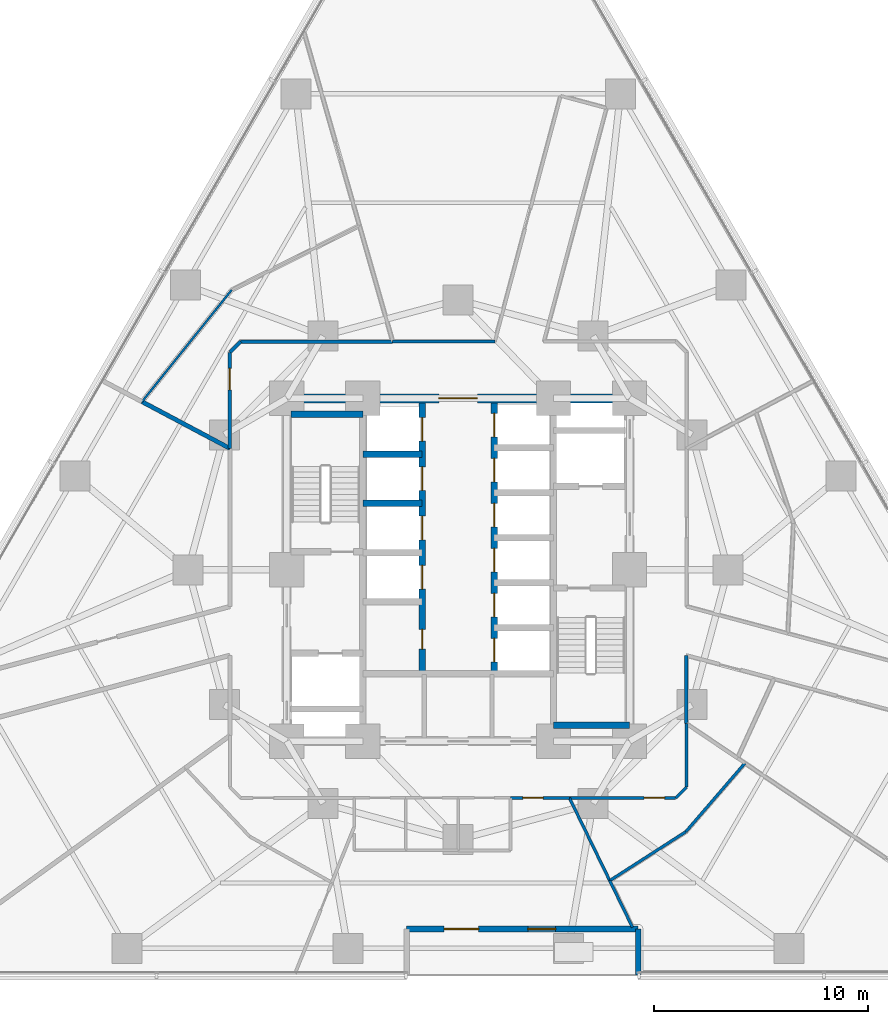
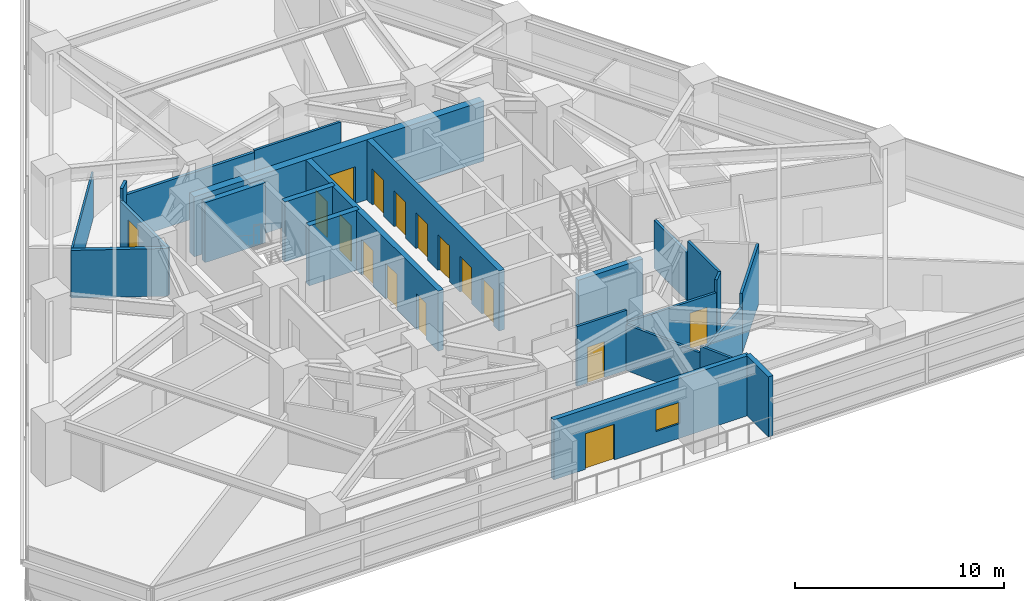
# One storey, part 9 of 16: 24 walls, 16 doors, 1 window, 17 openings.
"""IFC4 building model written with IfcOpenShell, lengths in metres."""

from ifc_helpers import new_model, si_unit, direction, frame, frame_2d, origin, place, context, subcontext, project, spatial, rectangle, extrude, material, layer, layer_set, type_object, element, fill, save


model = new_model("IFC4")

# Units and contexts
model_context = context("Model", 3, precision=1e-05, world=origin(), true_north=direction((0.0, 1.0)))
body_context = subcontext(model_context, "Body", "Model", "MODEL_VIEW")
ifc_project = project(units=[si_unit("LENGTHUNIT", "METRE"), si_unit("AREAUNIT", "SQUARE_METRE"), si_unit("VOLUMEUNIT", "CUBIC_METRE"), si_unit("PLANEANGLEUNIT", "RADIAN"), si_unit("MASSUNIT", "GRAM", prefix="KILO")], contexts=[model_context])

# Site, building, storey
site_placement = place(None, origin())
site = spatial("IfcSite", under=ifc_project, at=site_placement, CompositionType="ELEMENT")
building_placement = place(site_placement, origin())
building = spatial("IfcBuilding", under=site, at=building_placement, Name="Terralouvre Media Tower", CompositionType="ELEMENT")
storey_placement = place(building_placement, frame((0.0, 0.0, 44.5)))
storey = spatial("IfcBuildingStorey", under=building, at=storey_placement, Name="L10", CompositionType="ELEMENT", Elevation=44.5)

# Walls
ifc_material_1 = material(Name="Concrete C50/60", Category="concrete")
ifc_layer_1 = layer(ifc_material_1, 0.300048828125, Name="Core Internal Shaft Wall CW-300")
ifc_layer_set_1 = layer_set([ifc_layer_1], Name="Concrete C50/60")
wall_type_1 = type_object("IfcWallType", Name="Core Internal Shaft Wall CW-300", PredefinedType="SHEAR", material=ifc_layer_set_1)
wall_1_placement = place(storey_placement, frame((-7.7900390625, 7.260009765625, 0.0), z_axis=(0.0, 0.0, 1.0), x_axis=(1.0, 0.0, 0.0)))
element("IfcWall", 1, at=wall_1_placement, inside=storey, type_object=wall_type_1, Name="L10 Core Shaft Wall ST1F", PredefinedType="SHEAR", context=body_context, shape_type="SweptSolid", body=[
    extrude(rectangle(XDim=3.340087890625, YDim=0.300048828125, at=frame_2d((1.669921875, 0.0))), origin(), (0.0, 0.0, 1.0), 3.5),
])
wall_2_placement = place(storey_placement, frame((4.449951171875, -7.260009765625, 0.0), z_axis=(0.0, 0.0, 1.0), x_axis=(1.0, 0.0, 0.0)))
element("IfcWall", 2, at=wall_2_placement, inside=storey, type_object=wall_type_1, Name="L10 Core Shaft Wall ST2F", PredefinedType="SHEAR", context=body_context, shape_type="SweptSolid", body=[
    extrude(rectangle(XDim=3.550048828125, YDim=0.300048828125, at=frame_2d((1.77490234375, 0.0))), origin(), (0.0, 0.0, 1.0), 3.5),
])

# Wall, openings, doors
wall_3_placement = place(storey_placement, frame((-1.679931640625, -4.85009765625, 0.0), z_axis=(0.0, 0.0, 1.0), x_axis=(0.0, 1.0, 0.0)))
wall_3 = element("IfcWall", 3, at=wall_3_placement, inside=storey, type_object=wall_type_1, Name="L10 Core Shaft Wall LBW", PredefinedType="SHEAR", context=body_context, shape_type="SweptSolid", body=[
    extrude(rectangle(XDim=12.64013671875, YDim=0.300048828125, at=frame_2d((6.320068359375, 0.0))), origin(), (0.0, 0.0, 1.0), 3.5),
])
opening_1_placement = place(wall_3_placement, frame((3.949951171875, 0.0, 0.0)))
opening_1 = element("IfcOpeningElement", 4, at=opening_1_placement, cuts=wall_3, Name="Opening LD-PL", PredefinedType="OPENING", context=body_context, shape_type="SweptSolid", body=[
    extrude(rectangle(XDim=1.10009765625, YDim=2.10009765625, at=frame_2d((0.550048828125, 1.050048828125))), frame((0.0, 0.159912109375, 0.0), z_axis=(0.0, -1.0, 0.0), x_axis=(1.0, 0.0, 0.0)), (0.0, 0.0, 1.0), 0.320068359375),
])
opening_2_placement = place(wall_3_placement, frame((6.25, 0.0, 0.0)))
opening_2 = element("IfcOpeningElement", 5, at=opening_2_placement, cuts=wall_3, Name="Opening LD-PL", PredefinedType="OPENING", context=body_context, shape_type="SweptSolid", body=[
    extrude(rectangle(XDim=1.10009765625, YDim=2.10009765625, at=frame_2d((0.550048828125, 1.050048828125))), frame((0.0, 0.159912109375, 0.0), z_axis=(0.0, -1.0, 0.0), x_axis=(1.0, 0.0, 0.0)), (0.0, 0.0, 1.0), 0.320068359375),
])
opening_3_placement = place(wall_3_placement, frame((8.550048828125, 0.0, 0.0)))
opening_3 = element("IfcOpeningElement", 6, at=opening_3_placement, cuts=wall_3, Name="Opening LD-PL", PredefinedType="OPENING", context=body_context, shape_type="SweptSolid", body=[
    extrude(rectangle(XDim=1.10009765625, YDim=2.10009765625, at=frame_2d((0.550048828125, 1.050048828125))), frame((0.0, 0.159912109375, 0.0), z_axis=(0.0, -1.0, 0.0), x_axis=(1.0, 0.0, 0.0)), (0.0, 0.0, 1.0), 0.320068359375),
])
opening_4_placement = place(wall_3_placement, frame((10.85009765625, 0.0, 0.0)))
opening_4 = element("IfcOpeningElement", 7, at=opening_4_placement, cuts=wall_3, Name="Opening LD-PL", PredefinedType="OPENING", context=body_context, shape_type="SweptSolid", body=[
    extrude(rectangle(XDim=1.10009765625, YDim=2.10009765625, at=frame_2d((0.550048828125, 1.050048828125))), frame((0.0, 0.159912109375, 0.0), z_axis=(0.0, -1.0, 0.0), x_axis=(1.0, 0.0, 0.0)), (0.0, 0.0, 1.0), 0.320068359375),
])
opening_5_placement = place(wall_3_placement, frame((1.14990234375, 0.0, 0.0)))
opening_5 = element("IfcOpeningElement", 8, at=opening_5_placement, cuts=wall_3, Name="Opening FD-05-92X210", PredefinedType="OPENING", context=body_context, shape_type="SweptSolid", body=[
    extrude(rectangle(XDim=0.919921875, YDim=2.10009765625, at=frame_2d((0.4599609375, 1.050048828125))), frame((0.0, 0.159912109375, 0.0), z_axis=(0.0, -1.0, 0.0), x_axis=(1.0, 0.0, 0.0)), (0.0, 0.0, 1.0), 0.320068359375),
])
ifc_material_2 = material(Name="Galvanised steel fire-resisting leaf", Category="steel")
door_type_1 = type_object("IfcDoorType", Name="Core Accessible Closet Fire Door FD-05 (920x2100)", OperationType="NOTDEFINED", PredefinedType="DOOR", material=ifc_material_2)
door_1_placement = place(opening_5_placement, origin())
door_1 = element("IfcDoor", 9, at=door_1_placement, inside=storey, type_object=door_type_1, Name="L10 Core Cleaners Closet Door", OperationType="SINGLE_SWING_LEFT", OverallHeight=2.10009765625, OverallWidth=0.919921875, PredefinedType="DOOR", context=body_context, shape_type="SweptSolid", body=[
    extrude(rectangle(XDim=0.919921875, YDim=2.10009765625, at=frame_2d((0.4599609375, 1.050048828125))), frame((0.0, 0.02490234375, 0.0), z_axis=(0.0, -1.0, 0.0), x_axis=(1.0, 0.0, 0.0)), (0.0, 0.0, 1.0), 0.050048828125),
])
fill(opening_5, door_1)
ifc_material_3 = material(Name="Stainless steel 316 handrail and balustrade", Category="steel")
door_type_2 = type_object("IfcDoorType", Name="Passenger Lift Sliding Landing Door LD-PL", OperationType="SLIDING_TO_LEFT", PredefinedType="DOOR", material=ifc_material_3)
door_2_placement = place(opening_1_placement, origin())
door_2 = element("IfcDoor", 10, at=door_2_placement, inside=storey, type_object=door_type_2, Name="L10 Low-Rise Lift PL-L1 Landing Door", OperationType="SLIDING_TO_LEFT", OverallHeight=2.10009765625, OverallWidth=1.10009765625, PredefinedType="DOOR", context=body_context, shape_type="SweptSolid", body=[
    extrude(rectangle(XDim=1.10009765625, YDim=2.10009765625, at=frame_2d((0.550048828125, 1.050048828125))), frame((0.0, 0.02490234375, 0.0), z_axis=(0.0, -1.0, 0.0), x_axis=(1.0, 0.0, 0.0)), (0.0, 0.0, 1.0), 0.050048828125),
])
fill(opening_1, door_2)
door_3_placement = place(opening_2_placement, origin())
door_3 = element("IfcDoor", 11, at=door_3_placement, inside=storey, type_object=door_type_2, Name="L10 Low-Rise Lift PL-L2 Landing Door", OperationType="SLIDING_TO_LEFT", OverallHeight=2.10009765625, OverallWidth=1.10009765625, PredefinedType="DOOR", context=body_context, shape_type="SweptSolid", body=[
    extrude(rectangle(XDim=1.10009765625, YDim=2.10009765625, at=frame_2d((0.550048828125, 1.050048828125))), frame((0.0, 0.02490234375, 0.0), z_axis=(0.0, -1.0, 0.0), x_axis=(1.0, 0.0, 0.0)), (0.0, 0.0, 1.0), 0.050048828125),
])
fill(opening_2, door_3)
door_4_placement = place(opening_3_placement, origin())
door_4 = element("IfcDoor", 12, at=door_4_placement, inside=storey, type_object=door_type_2, Name="L10 Low-Rise Lift PL-L3 Landing Door", OperationType="SLIDING_TO_LEFT", OverallHeight=2.10009765625, OverallWidth=1.10009765625, PredefinedType="DOOR", context=body_context, shape_type="SweptSolid", body=[
    extrude(rectangle(XDim=1.10009765625, YDim=2.10009765625, at=frame_2d((0.550048828125, 1.050048828125))), frame((0.0, 0.02490234375, 0.0), z_axis=(0.0, -1.0, 0.0), x_axis=(1.0, 0.0, 0.0)), (0.0, 0.0, 1.0), 0.050048828125),
])
fill(opening_3, door_4)
door_5_placement = place(opening_4_placement, origin())
door_5 = element("IfcDoor", 13, at=door_5_placement, inside=storey, type_object=door_type_2, Name="L10 Low-Rise Lift PL-L4 Landing Door", OperationType="SLIDING_TO_LEFT", OverallHeight=2.10009765625, OverallWidth=1.10009765625, PredefinedType="DOOR", context=body_context, shape_type="SweptSolid", body=[
    extrude(rectangle(XDim=1.10009765625, YDim=2.10009765625, at=frame_2d((0.550048828125, 1.050048828125))), frame((0.0, 0.02490234375, 0.0), z_axis=(0.0, -1.0, 0.0), x_axis=(1.0, 0.0, 0.0)), (0.0, 0.0, 1.0), 0.050048828125),
])
fill(opening_4, door_5)

wall_4_placement = place(storey_placement, frame((1.679931640625, -4.85009765625, 0.0), z_axis=(0.0, 0.0, 1.0), x_axis=(0.0, 1.0, 0.0)))
wall_4 = element("IfcWall", 14, at=wall_4_placement, inside=storey, type_object=wall_type_1, Name="L10 Core Shaft Wall LBE", PredefinedType="SHEAR", context=body_context, shape_type="SweptSolid", body=[
    extrude(rectangle(XDim=12.64013671875, YDim=0.300048828125, at=frame_2d((6.320068359375, 0.0))), origin(), (0.0, 0.0, 1.0), 3.5),
])
opening_6_placement = place(wall_4_placement, frame((0.550048828125, 0.0, 0.0)))
opening_6 = element("IfcOpeningElement", 15, at=opening_6_placement, cuts=wall_4, Name="Opening LD-PL", PredefinedType="OPENING", context=body_context, shape_type="SweptSolid", body=[
    extrude(rectangle(XDim=1.10009765625, YDim=2.10009765625, at=frame_2d((0.550048828125, 1.050048828125))), frame((0.0, 0.159912109375, 0.0), z_axis=(0.0, -1.0, 0.0), x_axis=(1.0, 0.0, 0.0)), (0.0, 0.0, 1.0), 0.320068359375),
])
opening_7_placement = place(wall_4_placement, frame((2.64990234375, 0.0, 0.0)))
opening_7 = element("IfcOpeningElement", 16, at=opening_7_placement, cuts=wall_4, Name="Opening LD-PL", PredefinedType="OPENING", context=body_context, shape_type="SweptSolid", body=[
    extrude(rectangle(XDim=1.10009765625, YDim=2.10009765625, at=frame_2d((0.550048828125, 1.050048828125))), frame((0.0, 0.159912109375, 0.0), z_axis=(0.0, -1.0, 0.0), x_axis=(1.0, 0.0, 0.0)), (0.0, 0.0, 1.0), 0.320068359375),
])
opening_8_placement = place(wall_4_placement, frame((4.75, 0.0, 0.0)))
opening_8 = element("IfcOpeningElement", 17, at=opening_8_placement, cuts=wall_4, Name="Opening LD-PL", PredefinedType="OPENING", context=body_context, shape_type="SweptSolid", body=[
    extrude(rectangle(XDim=1.10009765625, YDim=2.10009765625, at=frame_2d((0.550048828125, 1.050048828125))), frame((0.0, 0.159912109375, 0.0), z_axis=(0.0, -1.0, 0.0), x_axis=(1.0, 0.0, 0.0)), (0.0, 0.0, 1.0), 0.320068359375),
])
opening_9_placement = place(wall_4_placement, frame((6.85009765625, 0.0, 0.0)))
opening_9 = element("IfcOpeningElement", 18, at=opening_9_placement, cuts=wall_4, Name="Opening LD-PL", PredefinedType="OPENING", context=body_context, shape_type="SweptSolid", body=[
    extrude(rectangle(XDim=1.10009765625, YDim=2.10009765625, at=frame_2d((0.550048828125, 1.050048828125))), frame((0.0, 0.159912109375, 0.0), z_axis=(0.0, -1.0, 0.0), x_axis=(1.0, 0.0, 0.0)), (0.0, 0.0, 1.0), 0.320068359375),
])
opening_10_placement = place(wall_4_placement, frame((8.949951171875, 0.0, 0.0)))
opening_10 = element("IfcOpeningElement", 19, at=opening_10_placement, cuts=wall_4, Name="Opening LD-PL", PredefinedType="OPENING", context=body_context, shape_type="SweptSolid", body=[
    extrude(rectangle(XDim=1.10009765625, YDim=2.10009765625, at=frame_2d((0.550048828125, 1.050048828125))), frame((0.0, 0.159912109375, 0.0), z_axis=(0.0, -1.0, 0.0), x_axis=(1.0, 0.0, 0.0)), (0.0, 0.0, 1.0), 0.320068359375),
])
opening_11_placement = place(wall_4_placement, frame((11.050048828125, 0.0, 0.0)))
opening_11 = element("IfcOpeningElement", 20, at=opening_11_placement, cuts=wall_4, Name="Opening LD-PL", PredefinedType="OPENING", context=body_context, shape_type="SweptSolid", body=[
    extrude(rectangle(XDim=1.10009765625, YDim=2.10009765625, at=frame_2d((0.550048828125, 1.050048828125))), frame((0.0, 0.159912109375, 0.0), z_axis=(0.0, -1.0, 0.0), x_axis=(1.0, 0.0, 0.0)), (0.0, 0.0, 1.0), 0.320068359375),
])
door_6_placement = place(opening_6_placement, origin())
door_6 = element("IfcDoor", 21, at=door_6_placement, inside=storey, type_object=door_type_2, Name="L10 High-Rise Lift PL-H1 Landing Door", OperationType="SLIDING_TO_LEFT", OverallHeight=2.10009765625, OverallWidth=1.10009765625, PredefinedType="DOOR", context=body_context, shape_type="SweptSolid", body=[
    extrude(rectangle(XDim=1.10009765625, YDim=2.10009765625, at=frame_2d((0.550048828125, 1.050048828125))), frame((0.0, 0.02490234375, 0.0), z_axis=(0.0, -1.0, 0.0), x_axis=(1.0, 0.0, 0.0)), (0.0, 0.0, 1.0), 0.050048828125),
])
fill(opening_6, door_6)
door_7_placement = place(opening_7_placement, origin())
door_7 = element("IfcDoor", 22, at=door_7_placement, inside=storey, type_object=door_type_2, Name="L10 High-Rise Lift PL-H2 Landing Door", OperationType="SLIDING_TO_LEFT", OverallHeight=2.10009765625, OverallWidth=1.10009765625, PredefinedType="DOOR", context=body_context, shape_type="SweptSolid", body=[
    extrude(rectangle(XDim=1.10009765625, YDim=2.10009765625, at=frame_2d((0.550048828125, 1.050048828125))), frame((0.0, 0.02490234375, 0.0), z_axis=(0.0, -1.0, 0.0), x_axis=(1.0, 0.0, 0.0)), (0.0, 0.0, 1.0), 0.050048828125),
])
fill(opening_7, door_7)
door_8_placement = place(opening_8_placement, origin())
door_8 = element("IfcDoor", 23, at=door_8_placement, inside=storey, type_object=door_type_2, Name="L10 High-Rise Lift PL-H3 Landing Door", OperationType="SLIDING_TO_LEFT", OverallHeight=2.10009765625, OverallWidth=1.10009765625, PredefinedType="DOOR", context=body_context, shape_type="SweptSolid", body=[
    extrude(rectangle(XDim=1.10009765625, YDim=2.10009765625, at=frame_2d((0.550048828125, 1.050048828125))), frame((0.0, 0.02490234375, 0.0), z_axis=(0.0, -1.0, 0.0), x_axis=(1.0, 0.0, 0.0)), (0.0, 0.0, 1.0), 0.050048828125),
])
fill(opening_8, door_8)
door_9_placement = place(opening_9_placement, origin())
door_9 = element("IfcDoor", 24, at=door_9_placement, inside=storey, type_object=door_type_2, Name="L10 Mid-Rise Lift PL-M1 Landing Door", OperationType="SLIDING_TO_LEFT", OverallHeight=2.10009765625, OverallWidth=1.10009765625, PredefinedType="DOOR", context=body_context, shape_type="SweptSolid", body=[
    extrude(rectangle(XDim=1.10009765625, YDim=2.10009765625, at=frame_2d((0.550048828125, 1.050048828125))), frame((0.0, 0.02490234375, 0.0), z_axis=(0.0, -1.0, 0.0), x_axis=(1.0, 0.0, 0.0)), (0.0, 0.0, 1.0), 0.050048828125),
])
fill(opening_9, door_9)
door_10_placement = place(opening_10_placement, origin())
door_10 = element("IfcDoor", 25, at=door_10_placement, inside=storey, type_object=door_type_2, Name="L10 Mid-Rise Lift PL-M2 Landing Door", OperationType="SLIDING_TO_LEFT", OverallHeight=2.10009765625, OverallWidth=1.10009765625, PredefinedType="DOOR", context=body_context, shape_type="SweptSolid", body=[
    extrude(rectangle(XDim=1.10009765625, YDim=2.10009765625, at=frame_2d((0.550048828125, 1.050048828125))), frame((0.0, 0.02490234375, 0.0), z_axis=(0.0, -1.0, 0.0), x_axis=(1.0, 0.0, 0.0)), (0.0, 0.0, 1.0), 0.050048828125),
])
fill(opening_10, door_10)
door_11_placement = place(opening_11_placement, origin())
door_11 = element("IfcDoor", 26, at=door_11_placement, inside=storey, type_object=door_type_2, Name="L10 Mid-Rise Lift PL-M3 Landing Door", OperationType="SLIDING_TO_LEFT", OverallHeight=2.10009765625, OverallWidth=1.10009765625, PredefinedType="DOOR", context=body_context, shape_type="SweptSolid", body=[
    extrude(rectangle(XDim=1.10009765625, YDim=2.10009765625, at=frame_2d((0.550048828125, 1.050048828125))), frame((0.0, 0.02490234375, 0.0), z_axis=(0.0, -1.0, 0.0), x_axis=(1.0, 0.0, 0.0)), (0.0, 0.0, 1.0), 0.050048828125),
])
fill(opening_11, door_11)

# Walls
for number, where, z_axis, x_axis, name in (
    (27, (-4.449951171875, 3.10009765625, 0.0), (0.0, 0.0, 1.0), (1.0, 0.0, 0.0), "L10 Core Shaft Wall PLLD2"),
    (28, (-4.449951171875, 5.39990234375, 0.0), (0.0, 0.0, 1.0), (1.0, 0.0, 0.0), "L10 Core Shaft Wall PLLD3"),
):
    element("IfcWall", number, at=place(storey_placement, frame(where, z_axis=z_axis, x_axis=x_axis)), inside=storey, type_object=wall_type_1, Name=name, PredefinedType="SHEAR", context=body_context, shape_type="SweptSolid", body=[
        extrude(rectangle(XDim=2.77001953125, YDim=0.300048828125, at=frame_2d((1.385009765625, 0.0))), origin(), (0.0, 0.0, 1.0), 3.5),
    ])

# Wall, opening, door
ifc_material_4 = material(Name="Concrete C60/75", Category="concrete")
ifc_layer_2 = layer(ifc_material_4, 0.419921875, Name="Core Reinforced Concrete Shear Wall CW-420")
ifc_layer_set_2 = layer_set([ifc_layer_2], Name="Concrete C60/75")
wall_type_2 = type_object("IfcWallType", Name="Core Reinforced Concrete Shear Wall CW-420", PredefinedType="SHEAR", material=ifc_layer_set_2)
wall_5_placement = place(storey_placement, frame((-8.0, 8.0, 0.0), z_axis=(0.0, 0.0, 1.0), x_axis=(1.0, 0.0, 0.0)))
wall_5 = element("IfcWall", 29, at=wall_5_placement, inside=storey, type_object=wall_type_2, Name="L10 N Core Shear Wall", PredefinedType="SHEAR", context=body_context, shape_type="SweptSolid", body=[
    extrude(rectangle(XDim=16.0, YDim=0.419921875, at=frame_2d((8.0, 0.0))), origin(), (0.0, 0.0, 1.0), 3.5),
])
opening_12_placement = place(wall_5_placement, frame((7.10009765625, 0.0, 0.0)))
opening_12 = element("IfcOpeningElement", 30, at=opening_12_placement, cuts=wall_5, Name="Opening FD-03", PredefinedType="OPENING", context=body_context, shape_type="SweptSolid", body=[
    extrude(rectangle(XDim=1.800048828125, YDim=2.14990234375, at=frame_2d((0.89990234375, 1.074951171875))), frame((0.0, 0.219970703125, 0.0), z_axis=(0.0, -1.0, 0.0), x_axis=(1.0, 0.0, 0.0)), (0.0, 0.0, 1.0), 0.43994140625),
])
ifc_material_5 = material(Name="Galvanised steel fire-resisting leaf", Category="steel")
door_type_3 = type_object("IfcDoorType", Name="Corridor Smoke-Control Double Door FD-03", OperationType="DOUBLE_DOOR_SINGLE_SWING", PredefinedType="DOOR", material=ifc_material_5)
door_12_placement = place(opening_12_placement, origin())
door_12 = element("IfcDoor", 31, at=door_12_placement, inside=storey, type_object=door_type_3, Name="L10 Central Lift Lobby Portal Door", OperationType="DOUBLE_DOOR_SINGLE_SWING", OverallHeight=2.14990234375, OverallWidth=1.800048828125, PredefinedType="DOOR", context=body_context, shape_type="SweptSolid", body=[
    extrude(rectangle(XDim=1.800048828125, YDim=2.14990234375, at=frame_2d((0.89990234375, 1.074951171875))), frame((0.0, 0.02490234375, 0.0), z_axis=(0.0, -1.0, 0.0), x_axis=(1.0, 0.0, 0.0)), (0.0, 0.0, 1.0), 0.050048828125),
])
fill(opening_12, door_12)

# Walls
ifc_material_6 = material(Name="Low-iron laminated double glazing with solar-control coating", Category="glass")
ifc_layer_3 = layer(ifc_material_6, 0.10009765625, Name="Demountable Glazed Office Partition PT-GL100")
ifc_layer_set_3 = layer_set([ifc_layer_3], Name="Low-iron laminated double glazing with solar-control coating")
wall_type_3 = type_object("IfcWallType", Name="Demountable Glazed Office Partition PT-GL100", PredefinedType="MOVABLE", material=ifc_layer_set_3)
wall_6_placement = place(storey_placement, frame((-14.7548828125, 7.844970703125, 0.0), z_axis=(0.0, 0.0, 1.0), x_axis=(0.625893000506, 0.779908938222, 0.0)))
element("IfcWall", 32, at=wall_6_placement, inside=storey, type_object=wall_type_3, Name="L10 Interior Partition 063", PredefinedType="MOVABLE", context=body_context, shape_type="SweptSolid", body=[
    extrude(rectangle(XDim=6.681396484375, YDim=0.10009765625, at=frame_2d((3.3408203125, 0.0))), origin(), (0.0, 0.0, 1.0), 2.68505859375),
])
ifc_material_7 = material(Name="Fire-rated gypsum board drywall partition")
ifc_layer_4 = layer(ifc_material_7, 0.199951171875, Name="Fire-Rated Shaft and Lobby Partition FW-200")
ifc_layer_set_4 = layer_set([ifc_layer_4], Name="Fire-rated gypsum board drywall partition")
wall_type_4 = type_object("IfcWallType", Name="Fire-Rated Shaft and Lobby Partition FW-200", PredefinedType="SOLIDWALL", material=ifc_layer_set_4)
wall_7_placement = place(storey_placement, frame((-10.64990234375, 5.6630859375, 0.0), z_axis=(0.0, 0.0, 1.0), x_axis=(-0.883016425854, 0.46934208385, 0.0)))
element("IfcWall", 33, at=wall_7_placement, inside=storey, type_object=wall_type_4, Name="L10 Interior Partition 040", PredefinedType="SOLIDWALL", context=body_context, shape_type="SweptSolid", body=[
    extrude(rectangle(XDim=4.64892578125, YDim=0.199951171875, at=frame_2d((2.324462890625, 0.0))), origin(), (0.0, 0.0, 1.0), 2.784912109375),
])
ifc_material_8 = material(Name="Fire-rated gypsum board drywall partition")
ifc_layer_5 = layer(ifc_material_8, 0.135009765625, Name="Newsroom Acoustic Partition PT-135")
ifc_layer_set_5 = layer_set([ifc_layer_5], Name="Fire-rated gypsum board drywall partition")
wall_type_5 = type_object("IfcWallType", Name="Newsroom Acoustic Partition PT-135", PredefinedType="PARTITIONING", material=ifc_layer_set_5)
wall_8_placement = place(storey_placement, frame((1.715087890625, 10.64990234375, 0.0), z_axis=(0.0, 0.0, 1.0), x_axis=(-1.0, 0.0, 0.0)))
element("IfcWall", 34, at=wall_8_placement, inside=storey, type_object=wall_type_5, Name="L10 Interior Partition 007", PredefinedType="PARTITIONING", context=body_context, shape_type="SweptSolid", body=[
    extrude(rectangle(XDim=4.76904296875, YDim=0.135009765625, at=frame_2d((2.384521484375, 0.0))), origin(), (0.0, 0.0, 1.0), 2.784912109375),
])

# Wall, opening, door
wall_9_placement = place(storey_placement, frame((2.449951171875, -10.64990234375, 0.0), z_axis=(0.0, 0.0, 1.0), x_axis=(1.0, 0.0, 0.0)))
wall_9 = element("IfcWall", 35, at=wall_9_placement, inside=storey, type_object=wall_type_5, Name="L10 Interior Partition 025", PredefinedType="PARTITIONING", context=body_context, shape_type="SweptSolid", body=[
    extrude(rectangle(XDim=2.744140625, YDim=0.135009765625, at=frame_2d((1.3720703125, 0.0))), origin(), (0.0, 0.0, 1.0), 3.5),
])
opening_13_placement = place(wall_9_placement, frame((0.567626953125, 0.0, 0.0)))
opening_13 = element("IfcOpeningElement", 36, at=opening_13_placement, cuts=wall_9, Name="Opening ID-02-95X210", PredefinedType="OPENING", context=body_context, shape_type="SweptSolid", body=[
    extrude(rectangle(XDim=0.949951171875, YDim=2.10009765625, at=frame_2d((0.47509765625, 1.050048828125))), frame((0.0, 0.077392578125, 0.0), z_axis=(0.0, -1.0, 0.0), x_axis=(1.0, 0.0, 0.0)), (0.0, 0.0, 1.0), 0.155029296875),
])
ifc_material_9 = material(Name="Engineered hardwood acoustic timber leaf", Category="wood")
door_type_4 = type_object("IfcDoorType", Name="Office and Meeting Room Door ID-02 (950x2100)", OperationType="NOTDEFINED", PredefinedType="DOOR", material=ifc_material_9)
door_13_placement = place(opening_13_placement, origin())
door_13 = element("IfcDoor", 37, at=door_13_placement, inside=storey, type_object=door_type_4, Name="L10 Stage Prop Archive Storage 8 Door", OperationType="SINGLE_SWING_RIGHT", OverallHeight=2.10009765625, OverallWidth=0.949951171875, PredefinedType="DOOR", context=body_context, shape_type="SweptSolid", body=[
    extrude(rectangle(XDim=0.949951171875, YDim=2.10009765625, at=frame_2d((0.47509765625, 1.050048828125))), frame((0.0, 0.02490234375, 0.0), z_axis=(0.0, -1.0, 0.0), x_axis=(1.0, 0.0, 0.0)), (0.0, 0.0, 1.0), 0.050048828125),
])
fill(opening_13, door_13)

wall_10_placement = place(storey_placement, frame((5.194091796875, -10.64990234375, 0.0), z_axis=(0.0, 0.0, 1.0), x_axis=(1.0, 0.0, 0.0)))
wall_10 = element("IfcWall", 38, at=wall_10_placement, inside=storey, type_object=wall_type_5, Name="L10 Interior Partition 027", PredefinedType="PARTITIONING", context=body_context, shape_type="SweptSolid", body=[
    extrude(rectangle(XDim=4.955810546875, YDim=0.135009765625, at=frame_2d((2.47802734375, 0.0))), origin(), (0.0, 0.0, 1.0), 2.784912109375),
])
opening_14_placement = place(wall_10_placement, frame((3.48974609375, 0.0, 0.0)))
opening_14 = element("IfcOpeningElement", 39, at=opening_14_placement, cuts=wall_10, Name="Opening ID-02-95X210", PredefinedType="OPENING", context=body_context, shape_type="SweptSolid", body=[
    extrude(rectangle(XDim=0.949951171875, YDim=2.10009765625, at=frame_2d((0.47509765625, 1.050048828125))), frame((0.0, 0.077392578125, 0.0), z_axis=(0.0, -1.0, 0.0), x_axis=(1.0, 0.0, 0.0)), (0.0, 0.0, 1.0), 0.155029296875),
])
door_14_placement = place(opening_14_placement, origin())
door_14 = element("IfcDoor", 40, at=door_14_placement, inside=storey, type_object=door_type_4, Name="L10 Presenter Hospitality Lounge 9 Door", OperationType="SINGLE_SWING_RIGHT", OverallHeight=2.10009765625, OverallWidth=0.949951171875, PredefinedType="DOOR", context=body_context, shape_type="SweptSolid", body=[
    extrude(rectangle(XDim=0.949951171875, YDim=2.10009765625, at=frame_2d((0.47509765625, 1.050048828125))), frame((0.0, 0.02490234375, 0.0), z_axis=(0.0, -1.0, 0.0), x_axis=(1.0, 0.0, 0.0)), (0.0, 0.0, 1.0), 0.050048828125),
])
fill(opening_14, door_14)

# Walls
wall_11_placement = place(storey_placement, frame((10.14990234375, -10.64990234375, 0.0), z_axis=(0.0, 0.0, 1.0), x_axis=(0.707106781187, 0.707106781187, 0.0)))
element("IfcWall", 41, at=wall_11_placement, inside=storey, type_object=wall_type_5, Name="L10 Interior Partition 028", PredefinedType="PARTITIONING", context=body_context, shape_type="SweptSolid", body=[
    extrude(rectangle(XDim=0.70703125, YDim=0.135009765625, at=frame_2d((0.353515625, 0.0))), origin(), (0.0, 0.0, 1.0), 3.5),
])
wall_12_placement = place(storey_placement, frame((10.64990234375, -10.14990234375, 0.0), z_axis=(0.0, 0.0, 1.0), x_axis=(0.0, 1.0, 0.0)))
element("IfcWall", 42, at=wall_12_placement, inside=storey, type_object=wall_type_5, Name="L10 Interior Partition 029", PredefinedType="PARTITIONING", context=body_context, shape_type="SweptSolid", body=[
    extrude(rectangle(XDim=2.9658203125, YDim=0.135009765625, at=frame_2d((1.48291015625, 0.0))), origin(), (0.0, 0.0, 1.0), 3.5),
])
wall_13_placement = place(storey_placement, frame((7.076904296875, -14.510009765625, 0.0), z_axis=(0.0, 0.0, 1.0), x_axis=(-0.438392272504, 0.898783742292, 0.0)))
element("IfcWall", 43, at=wall_13_placement, inside=storey, type_object=wall_type_5, Name="L10 Interior Partition 059", PredefinedType="PARTITIONING", context=body_context, shape_type="SweptSolid", body=[
    extrude(rectangle(XDim=4.294921875, YDim=0.135009765625, at=frame_2d((2.1474609375, 0.0))), origin(), (0.0, 0.0, 1.0), 2.68505859375),
])
wall_14_placement = place(storey_placement, frame((8.138427734375, -16.686767578125, 0.0), z_axis=(0.0, 0.0, 1.0), x_axis=(-0.438320348892, 0.898818820312, 0.0)))
element("IfcWall", 44, at=wall_14_placement, inside=storey, type_object=wall_type_5, Name="L10 Interior Partition 060", PredefinedType="PARTITIONING", context=body_context, shape_type="SweptSolid", body=[
    extrude(rectangle(XDim=2.421875, YDim=0.135009765625, at=frame_2d((1.2109375, 0.0))), origin(), (0.0, 0.0, 1.0), 3.0849609375),
])
wall_15_placement = place(storey_placement, frame((7.076904296875, -14.510009765625, 0.0), z_axis=(0.0, 0.0, 1.0), x_axis=(0.841056333741, 0.540947542258, 0.0)))
element("IfcWall", 45, at=wall_15_placement, inside=storey, type_object=wall_type_5, Name="L10 Interior Partition 061", PredefinedType="PARTITIONING", context=body_context, shape_type="SweptSolid", body=[
    extrude(rectangle(XDim=4.22216796875, YDim=0.135009765625, at=frame_2d((2.111083984375, 0.0))), origin(), (0.0, 0.0, 1.0), 2.68505859375),
])
wall_16_placement = place(storey_placement, frame((10.6279296875, -12.22607421875, 0.0), z_axis=(0.0, 0.0, 1.0), x_axis=(0.652832083446, 0.757502654004, 0.0)))
element("IfcWall", 46, at=wall_16_placement, inside=storey, type_object=wall_type_5, Name="L10 Interior Partition 062", PredefinedType="PARTITIONING", context=body_context, shape_type="SweptSolid", body=[
    extrude(rectangle(XDim=4.2216796875, YDim=0.135009765625, at=frame_2d((2.11083984375, 0.0))), origin(), (0.0, 0.0, 1.0), 3.5),
])

# Wall, openings, window, door
ifc_material_10 = material(Name="Kiln-fired architectural terracotta rainscreen cladding", Category="masonry")
ifc_layer_6 = layer(ifc_material_10, 0.260009765625, Name="Recessed Sky-Garden Acoustic Wall EW-SG260")
ifc_layer_set_6 = layer_set([ifc_layer_6], Name="Kiln-fired architectural terracotta rainscreen cladding")
wall_type_6 = type_object("IfcWallType", Name="Recessed Sky-Garden Acoustic Wall EW-SG260", PredefinedType="SOLIDWALL", material=ifc_layer_set_6)
wall_17_placement = place(storey_placement, frame((-2.39990234375, -16.766845703125, 0.0), z_axis=(0.0, 0.0, 1.0), x_axis=(1.0, 0.0, 0.0)))
wall_17 = element("IfcWall", 47, at=wall_17_placement, inside=storey, type_object=wall_type_6, Name="L10 SG Recessed Loggia Back Wall", PredefinedType="SOLIDWALL", context=body_context, shape_type="SweptSolid", body=[
    extrude(rectangle(XDim=10.7998046875, YDim=0.260009765625, at=frame_2d((5.39990234375, 0.0))), origin(), (0.0, 0.0, 1.0), 3.5),
])
opening_15_placement = place(wall_17_placement, frame((1.75, 0.0, 0.0)))
opening_15 = element("IfcOpeningElement", 48, at=opening_15_placement, cuts=wall_17, Name="Opening TD-01", PredefinedType="OPENING", context=body_context, shape_type="SweptSolid", body=[
    extrude(rectangle(XDim=1.60009765625, YDim=2.080078125, at=frame_2d((0.800048828125, 1.0400390625))), frame((0.0, 0.139892578125, 0.0), z_axis=(0.0, -1.0, 0.0), x_axis=(1.0, 0.0, 0.0)), (0.0, 0.0, 1.0), 0.280029296875),
])
opening_16_placement = place(wall_17_placement, frame((5.64990234375, 0.0, 0.85009765625)))
opening_16 = element("IfcOpeningElement", 49, at=opening_16_placement, cuts=wall_17, Name="Opening W-03", PredefinedType="OPENING", context=body_context, shape_type="SweptSolid", body=[
    extrude(rectangle(XDim=1.300048828125, YDim=1.25, at=frame_2d((0.64990234375, 0.625))), frame((0.0, 0.139892578125, 0.0), z_axis=(0.0, -1.0, 0.0), x_axis=(1.0, 0.0, 0.0)), (0.0, 0.0, 1.0), 0.280029296875),
])
ifc_material_11 = material(Name="Low-iron laminated double glazing with solar-control coating", Category="glass")
window_type = type_object("IfcWindowType", Name="Sky-Garden Loggia Window W-03", PartitioningType="SINGLE_PANEL", PredefinedType="WINDOW", material=ifc_material_11)
window_placement = place(opening_16_placement, origin())
window = element("IfcWindow", 50, at=window_placement, inside=storey, type_object=window_type, Name="L10 Pocket Loggia Window 1", OverallHeight=1.25, OverallWidth=1.300048828125, PartitioningType="SINGLE_PANEL", PredefinedType="WINDOW", context=body_context, shape_type="SweptSolid", body=[
    extrude(rectangle(XDim=1.300048828125, YDim=1.25, at=frame_2d((0.64990234375, 0.625))), frame((0.0, 0.030029296875, 0.0), z_axis=(0.0, -1.0, 0.0), x_axis=(1.0, 0.0, 0.0)), (0.0, 0.0, 1.0), 0.06005859375),
])
fill(opening_16, window)
ifc_material_12 = material(Name="Anodised extruded aluminium 6063-T6", Category="aluminium")
door_type_5 = type_object("IfcDoorType", Name="Sky-Garden Terrace Double Door TD-01", OperationType="DOUBLE_DOOR_SLIDING", PredefinedType="DOOR", material=ifc_material_12)
door_15_placement = place(opening_15_placement, frame((1.60009765625, 0.0, 0.0), z_axis=(0.0, 0.0, 1.0), x_axis=(-1.0, 0.0, 0.0)))
door_15 = element("IfcDoor", 51, at=door_15_placement, inside=storey, type_object=door_type_5, Name="L10 Sky-Garden Terrace Door", OperationType="DOUBLE_DOOR_SLIDING", OverallHeight=2.080078125, OverallWidth=1.60009765625, PredefinedType="DOOR", context=body_context, shape_type="SweptSolid", body=[
    extrude(rectangle(XDim=1.60009765625, YDim=2.080078125, at=frame_2d((0.800048828125, 1.0400390625))), frame((0.0, 0.02490234375, 0.0), z_axis=(0.0, -1.0, 0.0), x_axis=(1.0, 0.0, 0.0)), (0.0, 0.0, 1.0), 0.050048828125),
])
fill(opening_15, door_15)

# Walls
wall_18_placement = place(storey_placement, frame((8.39990234375, -16.766845703125, 0.0), z_axis=(0.0, 0.0, 1.0), x_axis=(0.0, -1.0, 0.0)))
element("IfcWall", 52, at=wall_18_placement, inside=storey, type_object=wall_type_6, Name="L10 SG Pocket Right Cheek Wall", PredefinedType="SOLIDWALL", context=body_context, shape_type="SweptSolid", body=[
    extrude(rectangle(XDim=2.14990234375, YDim=0.260009765625, at=frame_2d((1.074951171875, 0.0))), origin(), (0.0, 0.0, 1.0), 3.5),
])
ifc_material_13 = material(Name="Fire-rated gypsum board drywall partition")
ifc_layer_7 = layer(ifc_material_13, 0.159912109375, Name="Studio Acoustic Rated Partition PT-160")
ifc_layer_set_7 = layer_set([ifc_layer_7], Name="Fire-rated gypsum board drywall partition")
wall_type_7 = type_object("IfcWallType", Name="Studio Acoustic Rated Partition PT-160", PredefinedType="PARTITIONING", material=ifc_layer_set_7)
wall_19_placement = place(storey_placement, frame((10.64990234375, -7.18408203125, 0.0), z_axis=(0.0, 0.0, 1.0), x_axis=(0.0, 1.0, 0.0)))
element("IfcWall", 53, at=wall_19_placement, inside=storey, type_object=wall_type_7, Name="L10 Interior Partition 013", PredefinedType="PARTITIONING", context=body_context, shape_type="SweptSolid", body=[
    extrude(rectangle(XDim=3.192138671875, YDim=0.159912109375, at=frame_2d((1.59619140625, 0.0))), origin(), (0.0, 0.0, 1.0), 2.784912109375),
])
wall_20_placement = place(storey_placement, frame((-3.053955078125, 10.64990234375, 0.0), z_axis=(0.0, 0.0, 1.0), x_axis=(-1.0, 0.0, 0.0)))
element("IfcWall", 54, at=wall_20_placement, inside=storey, type_object=wall_type_7, Name="L10 Interior Partition 030", PredefinedType="PARTITIONING", context=body_context, shape_type="SweptSolid", body=[
    extrude(rectangle(XDim=7.095947265625, YDim=0.159912109375, at=frame_2d((3.5478515625, 0.0))), origin(), (0.0, 0.0, 1.0), 2.68505859375),
])
wall_21_placement = place(storey_placement, frame((-10.14990234375, 10.64990234375, 0.0), z_axis=(0.0, 0.0, 1.0), x_axis=(-0.707106781187, -0.707106781187, 0.0)))
element("IfcWall", 55, at=wall_21_placement, inside=storey, type_object=wall_type_7, Name="L10 Interior Partition 031", PredefinedType="PARTITIONING", context=body_context, shape_type="SweptSolid", body=[
    extrude(rectangle(XDim=0.70703125, YDim=0.159912109375, at=frame_2d((0.353515625, 0.0))), origin(), (0.0, 0.0, 1.0), 3.5),
])

# Wall, opening, door
wall_22_placement = place(storey_placement, frame((-10.64990234375, 10.14990234375, 0.0), z_axis=(0.0, 0.0, 1.0), x_axis=(0.0, -1.0, 0.0)))
wall_22 = element("IfcWall", 56, at=wall_22_placement, inside=storey, type_object=wall_type_7, Name="L10 Interior Partition 032", PredefinedType="PARTITIONING", context=body_context, shape_type="SweptSolid", body=[
    extrude(rectangle(XDim=4.48681640625, YDim=0.159912109375, at=frame_2d((2.243408203125, 0.0))), origin(), (0.0, 0.0, 1.0), 2.784912109375),
])
opening_17_placement = place(wall_22_placement, frame((0.75634765625, 0.0, 0.0)))
opening_17 = element("IfcOpeningElement", 57, at=opening_17_placement, cuts=wall_22, Name="Opening ID-01-100X215", PredefinedType="OPENING", context=body_context, shape_type="SweptSolid", body=[
    extrude(rectangle(XDim=1.0, YDim=2.14990234375, at=frame_2d((0.5, 1.074951171875))), frame((0.0, 0.08984375, 0.0), z_axis=(0.0, -1.0, 0.0), x_axis=(1.0, 0.0, 0.0)), (0.0, 0.0, 1.0), 0.179931640625),
])
ifc_material_14 = material(Name="Engineered hardwood acoustic timber leaf", Category="wood")
door_type_6 = type_object("IfcDoorType", Name="Broadcast Studio Acoustic Single Door ID-01 (1000x2150)", OperationType="NOTDEFINED", PredefinedType="DOOR", material=ifc_material_14)
door_16_placement = place(opening_17_placement, origin())
door_16 = element("IfcDoor", 58, at=door_16_placement, inside=storey, type_object=door_type_6, Name="L10 Technical Operations Control Room 12 Door", OperationType="SINGLE_SWING_LEFT", OverallHeight=2.14990234375, OverallWidth=1.0, PredefinedType="DOOR", context=body_context, shape_type="SweptSolid", body=[
    extrude(rectangle(XDim=1.0, YDim=2.14990234375, at=frame_2d((0.5, 1.074951171875))), frame((0.0, 0.02490234375, 0.0), z_axis=(0.0, -1.0, 0.0), x_axis=(1.0, 0.0, 0.0)), (0.0, 0.0, 1.0), 0.050048828125),
])
fill(opening_17, door_16)

save(model, "model.ifc")
